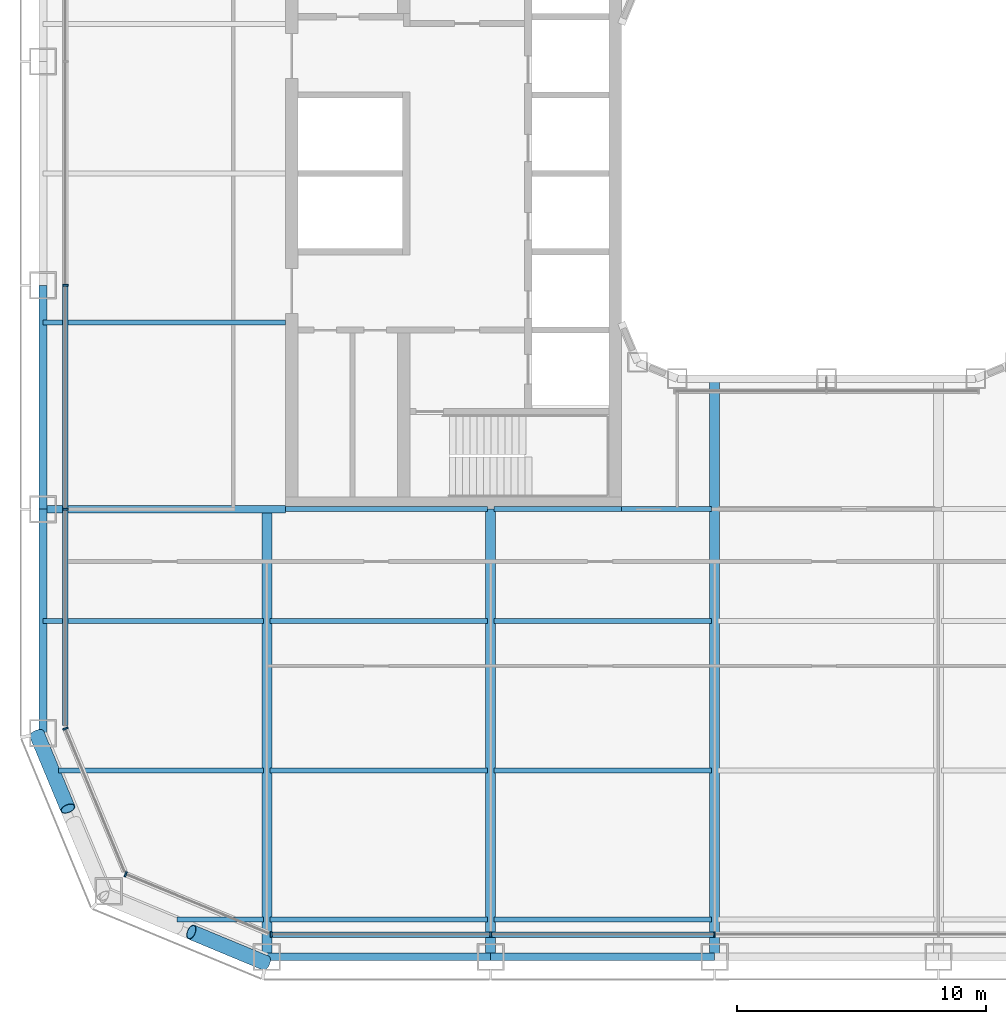
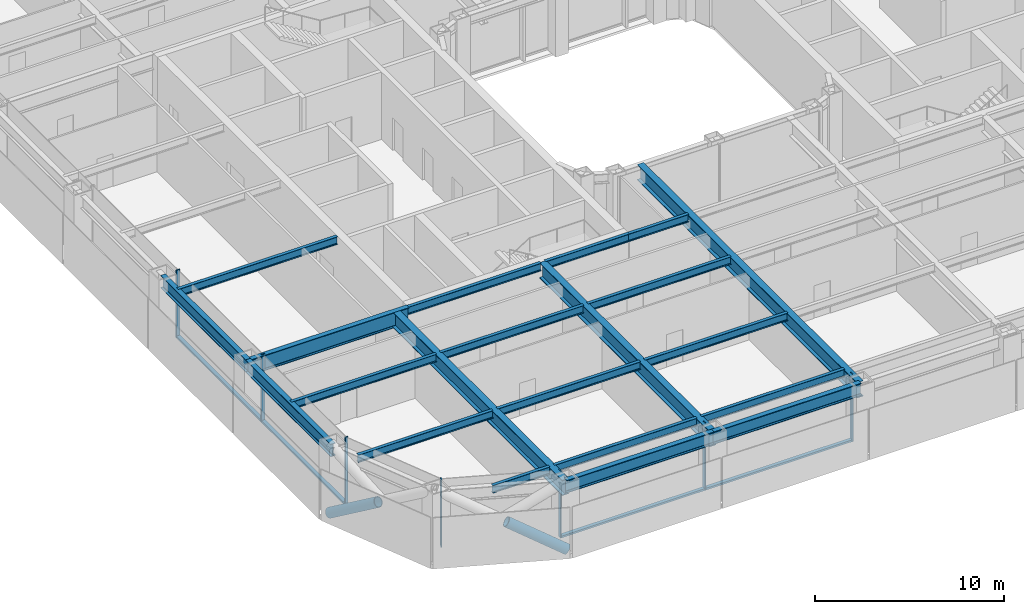
# One storey, part 2 of 24: 21 beams, 13 members, 4 elements without a shape of their own.
"""IFC4 building model written with IfcOpenShell, lengths in metres."""

import ifcopenshell
import ifcopenshell.guid

model = None  # the IFC model being written
_history = None  # IfcOwnerHistory: only IFC2X3 demands one
_inside = {}  # id of a spatial element -> (the spatial element, [elements in it])
_under = {}  # id of a project, library or spatial element -> (it, [spatial elements below it])
_declared = {}  # id of a project -> (the project, [libraries it declares])
_typed = {}  # id of a type object -> (the type object, [elements of that type])
_made_of = {}  # id of a material, layer set ... -> (it, [elements and type objects made of it])


def new_model(schema):
    """Start an empty IFC model of exactly this schema.

    Asked for "IFC4X3", IfcOpenShell would pick the latest addendum, in which some entities
    have other attributes; the version numbers below select the first issue.
    IFC2X3 requires an IfcOwnerHistory on every rooted entity: one is made here for all.
    """
    global model, _history
    if schema == "IFC4X3":
        model = ifcopenshell.file(schema_version=(4, 3, 0, 0))
    else:
        model = ifcopenshell.file(schema=schema)
    _inside.clear()
    _under.clear()
    _declared.clear()
    _typed.clear()
    _made_of.clear()
    _history = None
    if model.schema == "IFC2X3":
        org = make("IfcOrganization", Name="unknown")
        user = make(
            "IfcPersonAndOrganization",
            ThePerson=make("IfcPerson", FamilyName="unknown"),
            TheOrganization=org,
        )
        app = make(
            "IfcApplication",
            ApplicationDeveloper=org,
            Version="unknown",
            ApplicationFullName="unknown",
            ApplicationIdentifier="unknown",
        )
        _history = make(
            "IfcOwnerHistory",
            OwningUser=user,
            OwningApplication=app,
            ChangeAction="ADDED",
            CreationDate=0,
        )
    return model


def make(cls, **values):
    """One entity of the class cls with the attributes given. An attribute that is None is left unset."""
    return model.create_entity(
        cls, **{name: value for name, value in values.items() if value is not None}
    )


def rooted(cls, **values):
    """An entity with a GlobalId (a new one), such as an element, a storey or a relation."""
    return make(cls, GlobalId=ifcopenshell.guid.new(), OwnerHistory=_history, **values)


def si_unit(unit_type, name, prefix=None):
    """IfcSIUnit, for example si_unit("LENGTHUNIT", "METRE", prefix="MILLI")."""
    return make("IfcSIUnit", UnitType=unit_type, Prefix=prefix, Name=name)


def assignment(units):
    """IfcUnitAssignment: the units of a project."""
    return None if units is None else make("IfcUnitAssignment", Units=units)


def point(xyz):
    """IfcCartesianPoint."""
    return None if xyz is None else make("IfcCartesianPoint", Coordinates=xyz)


def direction(xyz):
    """IfcDirection."""
    return None if xyz is None else make("IfcDirection", DirectionRatios=xyz)


def frame(location, z_axis=None, x_axis=None):
    """IfcAxis2Placement3D, a coordinate frame: its origin and axes. An axis left out is left unset."""
    return make(
        "IfcAxis2Placement3D",
        Location=point(location),
        Axis=direction(z_axis),
        RefDirection=direction(x_axis),
    )


def frame_2d(location, x_axis=None):
    """IfcAxis2Placement2D, a coordinate frame in the plane: its origin and x axis."""
    return make(
        "IfcAxis2Placement2D", Location=point(location), RefDirection=direction(x_axis)
    )


def origin():
    """The frame at (0, 0, 0) with its axes left unset."""
    return frame((0.0, 0.0, 0.0))


def origin_2d():
    """The frame at (0, 0) in the plane with its x axis left unset."""
    return frame_2d((0.0, 0.0))


def place(relative_to, where):
    """IfcLocalPlacement: puts the frame where relative to a parent placement (None: the world)."""
    return make(
        "IfcLocalPlacement", PlacementRelTo=relative_to, RelativePlacement=where
    )


def context(
    kind, dimensions, precision=None, world=None, true_north=None, identifier=None
):
    """IfcGeometricRepresentationContext, for example the 3D "Model" context."""
    return make(
        "IfcGeometricRepresentationContext",
        ContextIdentifier=identifier,
        ContextType=kind,
        CoordinateSpaceDimension=dimensions,
        Precision=precision,
        WorldCoordinateSystem=world,
        TrueNorth=true_north,
    )


def subcontext(parent, identifier, kind, view, scale=None):
    """IfcGeometricRepresentationSubContext, for example "Body" below "Model"."""
    return make(
        "IfcGeometricRepresentationSubContext",
        ContextIdentifier=identifier,
        ContextType=kind,
        ParentContext=parent,
        TargetScale=scale,
        TargetView=view,
    )


def project(units=None, contexts=None):
    """IfcProject with its units and contexts."""
    return rooted(
        "IfcProject",
        Name="project",
        RepresentationContexts=contexts,
        UnitsInContext=assignment(units),
    )


def spatial(cls, under=None, at=None, **own):
    """A site, building, storey or space (cls), placed at a placement, below another one or the project."""
    s = rooted(cls, ObjectPlacement=at, **own)
    if under is not None:
        _under.setdefault(under.id(), (under, []))[1].append(s)
    return s


def profile(cls, at=None, kind="AREA", **sizes):
    """A parametric profile (cls). Its sizes go by their IFC names, for example OverallWidth=200.0."""
    return make(cls, ProfileType=kind, Position=at, **sizes)


def rectangle(**sizes):
    """IfcRectangleProfileDef."""
    return profile("IfcRectangleProfileDef", **sizes)


def hollow_circle(**sizes):
    """IfcCircleHollowProfileDef."""
    return profile("IfcCircleHollowProfileDef", **sizes)


def i_section(**sizes):
    """IfcIShapeProfileDef."""
    return profile("IfcIShapeProfileDef", **sizes)


def extrude(swept, where, along, depth):
    """IfcExtrudedAreaSolid: the profile swept, set in the frame where, extruded along a direction by depth."""
    return make(
        "IfcExtrudedAreaSolid",
        SweptArea=swept,
        Position=where,
        ExtrudedDirection=direction(along),
        Depth=depth,
    )


def shape(context_of_items, identifier, shape_type, items):
    """IfcShapeRepresentation: the items that make up one representation, for example the "Body"."""
    return make(
        "IfcShapeRepresentation",
        ContextOfItems=context_of_items,
        RepresentationIdentifier=identifier,
        RepresentationType=shape_type,
        Items=items,
    )


def material(Name=None, Category=None):
    """IfcMaterial."""
    return make("IfcMaterial", Name=Name, Category=Category)


def layer(
    of_material, thickness, ventilated=None, Name=None, Category=None, Priority=None
):
    """IfcMaterialLayer: one layer of a wall or slab, of a material (None: an air gap)."""
    return make(
        "IfcMaterialLayer",
        Material=of_material,
        LayerThickness=thickness,
        IsVentilated=ventilated,
        Name=Name,
        Category=Category,
        Priority=Priority,
    )


def layer_set(layers, Name=None):
    """IfcMaterialLayerSet."""
    return make("IfcMaterialLayerSet", MaterialLayers=layers, LayerSetName=Name)


def material_profile(
    of_material, cross_section, Name=None, Category=None, Priority=None
):
    """IfcMaterialProfile: a cross section and its material."""
    return make(
        "IfcMaterialProfile",
        Name=Name,
        Material=of_material,
        Profile=cross_section,
        Priority=Priority,
        Category=Category,
    )


def profile_set(profiles, Name=None, composite=None):
    """IfcMaterialProfileSet."""
    return make(
        "IfcMaterialProfileSet",
        Name=Name,
        MaterialProfiles=profiles,
        CompositeProfile=composite,
    )


def made_of(thing, what):
    """Note that an element or type object is made of a material, layer set ...; save() writes the relation."""
    if what is not None:
        _made_of.setdefault(what.id(), (what, []))[1].append(thing)
    return thing


def type_object(cls, material=None, **own):
    """A type object (cls), such as IfcWallType, which elements share."""
    return made_of(rooted(cls, **own), material)


def element(
    cls,
    number,
    at=None,
    inside=None,
    cuts=None,
    type_object=None,
    material=None,
    context=None,
    identifier="Body",
    shape_type=None,
    held_by="IfcProductDefinitionShape",
    body=None,
    shapes=None,
    **own,
):
    """One element of the class cls, such as IfcWall. Its Tag is "e" and its number.

    at: its placement. inside: the storey or other place that contains it. cuts: it is an
    opening in that element (IfcRelVoidsElement). A single representation is given by context,
    identifier, shape_type and body (its items); several are given by shapes. held_by: the class
    of the entity that holds the representations. save() writes the other relations.
    """
    e = rooted(cls, Tag="e%d" % number, ObjectPlacement=at, **own)
    if body is not None:
        shapes = [shape(context, identifier, shape_type, body)]
    if shapes is not None:
        e.Representation = make(held_by, Representations=shapes)
    if inside is not None:
        _inside.setdefault(inside.id(), (inside, []))[1].append(e)
    if cuts is not None:
        rooted(
            "IfcRelVoidsElement", RelatingBuildingElement=cuts, RelatedOpeningElement=e
        )
    if type_object is not None:
        _typed.setdefault(type_object.id(), (type_object, []))[1].append(e)
    return made_of(e, material)


def aggregate(whole, parts):
    """IfcRelAggregates: a whole, such as a stair, and the parts it consists of."""
    return rooted("IfcRelAggregates", RelatingObject=whole, RelatedObjects=parts)


def save(model, path):
    """Write the relations noted so far, then the file.

    IfcRelAggregates (storeys below a building ...), IfcRelContainedInSpatialStructure (elements
    in a storey), IfcRelDefinesByType, IfcRelAssociatesMaterial and IfcRelDeclares: one each for
    every whole, place, type object, material and project.
    """
    for whole, parts in _under.values():
        aggregate(whole, parts)
    for where, things in _inside.values():
        rooted(
            "IfcRelContainedInSpatialStructure",
            RelatedElements=things,
            RelatingStructure=where,
        )
    for kind, things in _typed.values():
        rooted("IfcRelDefinesByType", RelatedObjects=things, RelatingType=kind)
    for what, things in _made_of.values():
        rooted("IfcRelAssociatesMaterial", RelatedObjects=things, RelatingMaterial=what)
    for by, libraries in _declared.values():
        rooted("IfcRelDeclares", RelatingContext=by, RelatedDefinitions=libraries)
    model.write(path)


model = new_model("IFC4")

# Units and contexts
model_context = context("Model", 3, precision=1e-05, world=origin(), true_north=direction((0.0, 1.0)))
body_context = subcontext(model_context, "Body", "Model", "MODEL_VIEW")
ifc_project = project(units=[si_unit("LENGTHUNIT", "METRE"), si_unit("AREAUNIT", "SQUARE_METRE"), si_unit("VOLUMEUNIT", "CUBIC_METRE"), si_unit("PLANEANGLEUNIT", "RADIAN"), si_unit("MASSUNIT", "GRAM", prefix="KILO")], contexts=[model_context])

# Site, building, storey
site_placement = place(None, origin())
site = spatial("IfcSite", under=ifc_project, at=site_placement, CompositionType="ELEMENT")
building_placement = place(site_placement, origin())
building = spatial("IfcBuilding", under=site, at=building_placement, Name="Siwar Civic Tower", CompositionType="ELEMENT")
storey_placement = place(building_placement, frame((0.0, 0.0, 22.199951171875)))
storey = spatial("IfcBuildingStorey", under=building, at=storey_placement, Name="L04", CompositionType="ELEMENT", Elevation=22.199951171875)

# Curtain wall, members
ifc_material_1 = material(Name="Aluminium and glass", Category="aluminium")
ifc_layer_1 = layer(ifc_material_1, 0.219970703125)
ifc_layer_set_1 = layer_set([ifc_layer_1], Name="Aluminium and glass")
curtain_wall_type_1 = type_object("IfcCurtainWallType", Name="ENV-CW-A", PredefinedType="NOTDEFINED", material=ifc_layer_set_1)
curtain_wall_1_placement = place(storey_placement, origin())
curtain_wall_1 = element("IfcCurtainWall", 1, at=curtain_wall_1_placement, inside=storey, type_object=curtain_wall_type_1, Name="Curtain wall A S", PredefinedType="NOTDEFINED")
ifc_material_2 = material(Name="Aluminium 6063-T6", Category="aluminium")
ifc_material_profile_1 = material_profile(ifc_material_2, rectangle(XDim=0.219970703125, YDim=0.070068359375, at=origin_2d()), Name="AL 220x70")
ifc_profile_set_1 = profile_set([ifc_material_profile_1], Name="Aluminium 6063-T6")
member_type_1 = type_object("IfcMemberType", Name="ENV-MULLION-A", PredefinedType="MULLION", material=ifc_profile_set_1)
member_1_placement = place(storey_placement, frame((-22.321044921875, -30.60009765625, 0.0), z_axis=(0.0, 0.0, 1.0), x_axis=(0.0, 1.0, 0.0)))
member_1 = element("IfcMember", 2, at=member_1_placement, type_object=member_type_1, Name="Mullion A S 1", PredefinedType="MULLION", context=body_context, shape_type="SweptSolid", body=[
    extrude(rectangle(XDim=0.219970703125, YDim=0.070068359375, at=origin_2d()), origin(), (0.0, 0.0, 1.0), 4.35009765625),
])
member_2_placement = place(storey_placement, frame((-13.5, -30.60009765625, 0.0), z_axis=(0.0, 0.0, 1.0), x_axis=(0.0, 1.0, 0.0)))
member_2 = element("IfcMember", 3, at=member_2_placement, type_object=member_type_1, Name="Mullion A S 2", PredefinedType="MULLION", context=body_context, shape_type="SweptSolid", body=[
    extrude(rectangle(XDim=0.219970703125, YDim=0.070068359375, at=origin_2d()), origin(), (0.0, 0.0, 1.0), 4.35009765625),
])
member_3_placement = place(storey_placement, frame((-4.5, -30.60009765625, 0.0), z_axis=(0.0, 0.0, 1.0), x_axis=(0.0, 1.0, 0.0)))
member_3 = element("IfcMember", 4, at=member_3_placement, type_object=member_type_1, Name="Mullion A S 3", PredefinedType="MULLION", context=body_context, shape_type="SweptSolid", body=[
    extrude(rectangle(XDim=0.219970703125, YDim=0.070068359375, at=origin_2d()), origin(), (0.0, 0.0, 1.0), 4.35009765625),
])

curtain_wall_2_placement = place(storey_placement, origin())
curtain_wall_2 = element("IfcCurtainWall", 5, at=curtain_wall_2_placement, inside=storey, type_object=curtain_wall_type_1, Name="Curtain wall A W", PredefinedType="NOTDEFINED")
member_4_placement = place(storey_placement, frame((-30.60009765625, -4.5, 0.0), z_axis=(0.0, 0.0, 1.0), x_axis=(1.0, 0.0, 0.0)))
member_4 = element("IfcMember", 6, at=member_4_placement, type_object=member_type_1, Name="Mullion A W 4", PredefinedType="MULLION", context=body_context, shape_type="SweptSolid", body=[
    extrude(rectangle(XDim=0.219970703125, YDim=0.070068359375, at=origin_2d()), origin(), (0.0, 0.0, 1.0), 4.35009765625),
])
member_5_placement = place(storey_placement, frame((-30.60009765625, -13.5, 0.0), z_axis=(0.0, 0.0, 1.0), x_axis=(1.0, 0.0, 0.0)))
member_5 = element("IfcMember", 7, at=member_5_placement, type_object=member_type_1, Name="Mullion A W 5", PredefinedType="MULLION", context=body_context, shape_type="SweptSolid", body=[
    extrude(rectangle(XDim=0.219970703125, YDim=0.070068359375, at=origin_2d()), origin(), (0.0, 0.0, 1.0), 4.35009765625),
])

# Curtain wall, member
ifc_material_3 = material(Name="Aluminium clad insulated panel", Category="aluminium")
ifc_layer_2 = layer(ifc_material_3, 0.219970703125)
ifc_layer_set_2 = layer_set([ifc_layer_2], Name="Aluminium clad insulated panel")
curtain_wall_type_2 = type_object("IfcCurtainWallType", Name="ENV-CW-AX", PredefinedType="NOTDEFINED", material=ifc_layer_set_2)
curtain_wall_3_placement = place(storey_placement, origin())
curtain_wall_3 = element("IfcCurtainWall", 8, at=curtain_wall_3_placement, inside=storey, type_object=curtain_wall_type_2, Name="Curtain wall A SW1", PredefinedType="NOTDEFINED")
member_6_placement = place(storey_placement, frame((-30.60009765625, -22.321044921875, 0.0), z_axis=(0.0, 0.0, 1.0), x_axis=(0.923879532511, 0.382683432365, 0.0)))
member_6 = element("IfcMember", 9, at=member_6_placement, type_object=member_type_1, Name="Mullion A SW1 1", PredefinedType="MULLION", context=body_context, shape_type="SweptSolid", body=[
    extrude(rectangle(XDim=0.219970703125, YDim=0.070068359375, at=origin_2d()), origin(), (0.0, 0.0, 1.0), 4.35009765625),
])
aggregate(curtain_wall_3, [member_6])

curtain_wall_4_placement = place(storey_placement, origin())
curtain_wall_4 = element("IfcCurtainWall", 10, at=curtain_wall_4_placement, inside=storey, type_object=curtain_wall_type_2, Name="Curtain wall A SW2", PredefinedType="NOTDEFINED")
member_7_placement = place(storey_placement, frame((-28.175048828125, -28.175048828125, 0.0), z_axis=(0.0, 0.0, 1.0), x_axis=(0.382683432365, 0.923879532511, 0.0)))
member_7 = element("IfcMember", 11, at=member_7_placement, type_object=member_type_1, Name="Mullion A SW2 1", PredefinedType="MULLION", context=body_context, shape_type="SweptSolid", body=[
    extrude(rectangle(XDim=0.219970703125, YDim=0.070068359375, at=origin_2d()), origin(), (0.0, 0.0, 1.0), 4.35009765625),
])
aggregate(curtain_wall_4, [member_7])

# Member
ifc_material_4 = material(Name="Aluminium 6063-T6", Category="aluminium")
ifc_material_profile_2 = material_profile(ifc_material_4, rectangle(XDim=0.219970703125, YDim=0.1201171875, at=origin_2d()), Name="AL 220x120")
ifc_profile_set_2 = profile_set([ifc_material_profile_2], Name="Aluminium 6063-T6")
member_type_2 = type_object("IfcMemberType", Name="ENV-TRANSOM-A", PredefinedType="USERDEFINED", material=ifc_profile_set_2)
member_8_placement = place(storey_placement, frame((-22.285888671875, -30.60009765625, 0.06005859375), z_axis=(1.0, 0.0, 0.0), x_axis=(0.0, 1.0, 0.0)))
member_8 = element("IfcMember", 12, at=member_8_placement, type_object=member_type_2, Name="Transom A S 1", ObjectType="TRANSOM", PredefinedType="USERDEFINED", context=body_context, shape_type="SweptSolid", body=[
    extrude(rectangle(XDim=0.219970703125, YDim=0.1201171875, at=origin_2d()), origin(), (0.0, 0.0, 1.0), 8.7509765625),
])

member_9_placement = place(storey_placement, frame((-13.465087890625, -30.60009765625, 0.06005859375), z_axis=(1.0, 0.0, 0.0), x_axis=(0.0, 1.0, 0.0)))
member_9 = element("IfcMember", 13, at=member_9_placement, type_object=member_type_2, Name="Transom A S 2", ObjectType="TRANSOM", PredefinedType="USERDEFINED", context=body_context, shape_type="SweptSolid", body=[
    extrude(rectangle(XDim=0.219970703125, YDim=0.1201171875, at=origin_2d()), origin(), (0.0, 0.0, 1.0), 8.93017578125),
])

aggregate(curtain_wall_1, [member_1, member_2, member_3, member_8, member_9])

member_10_placement = place(storey_placement, frame((-30.60009765625, -4.534912109375, 0.06005859375), z_axis=(0.0, -1.0, 0.0), x_axis=(1.0, 0.0, 0.0)))
member_10 = element("IfcMember", 14, at=member_10_placement, type_object=member_type_2, Name="Transom A W 4", ObjectType="TRANSOM", PredefinedType="USERDEFINED", context=body_context, shape_type="SweptSolid", body=[
    extrude(rectangle(XDim=0.219970703125, YDim=0.1201171875, at=origin_2d()), origin(), (0.0, 0.0, 1.0), 8.93017578125),
])

member_11_placement = place(storey_placement, frame((-30.60009765625, -13.534912109375, 0.06005859375), z_axis=(0.0, -1.0, 0.0), x_axis=(1.0, 0.0, 0.0)))
member_11 = element("IfcMember", 15, at=member_11_placement, type_object=member_type_2, Name="Transom A W 5", ObjectType="TRANSOM", PredefinedType="USERDEFINED", context=body_context, shape_type="SweptSolid", body=[
    extrude(rectangle(XDim=0.219970703125, YDim=0.1201171875, at=origin_2d()), origin(), (0.0, 0.0, 1.0), 8.66357421875),
])

aggregate(curtain_wall_2, [member_4, member_5, member_10, member_11])

# Members
ifc_material_5 = material(Name="Steel S355", Category="steel")
ifc_material_profile_3 = material_profile(ifc_material_5, hollow_circle(Radius=0.304931640625, WallThickness=0.030029296875, at=origin_2d()), Name="CHS610x30")
ifc_profile_set_3 = profile_set([ifc_material_profile_3], Name="Steel S355")
member_type_3 = type_object("IfcMemberType", Name="STR-BR-CHS610x30", PredefinedType="BRACE", material=ifc_profile_set_3)
for number, where, z_axis, x_axis, name in (
    (16, (-22.548828125, -31.7451171875, 0.0), (-0.777533059308, 0.323882123145, 0.539020140617), (-0.384524353215, -0.923114847559, 0.0), "L04/brc/ASW1-3-0-2"),
    (17, (-31.7451171875, -22.548828125, 0.0), (0.323882123145, -0.777533059308, 0.539020140617), (0.923114847559, 0.384524353215, 0.0), "L04/brc/ASW1-3-0-4"),
):
    element("IfcMember", number, at=place(storey_placement, frame(where, z_axis=z_axis, x_axis=x_axis)), inside=storey, type_object=member_type_3, Name=name, PredefinedType="BRACE", context=body_context, shape_type="SweptSolid", body=[
        extrude(hollow_circle(Radius=0.304931640625, WallThickness=0.030029296875, at=origin_2d()), origin(), (0.0, 0.0, 1.0), 3.843505859375),
    ])

# Beams
ifc_material_6 = material(Name="Steel S355", Category="steel")
ifc_material_profile_4 = material_profile(ifc_material_6, i_section(OverallWidth=0.199951171875, OverallDepth=0.5, WebThickness=0.01025390625, FlangeThickness=0.01611328125, FilletRadius=0.02099609375, at=origin_2d()), Name="IPE500")
ifc_profile_set_4 = profile_set([ifc_material_profile_4], Name="Steel S355")
beam_type_1 = type_object("IfcBeamType", Name="STR-FB-IPE500", PredefinedType="JOIST", material=ifc_profile_set_4)
beam_1_placement = place(storey_placement, frame((-26.121337890625, -30.0, 4.10009765625), z_axis=(1.0, 0.0, 0.0), x_axis=(0.0, 1.0, 0.0)))
element("IfcBeam", 18, at=beam_1_placement, inside=storey, type_object=beam_type_1, Name="L04/bm/F001", PredefinedType="JOIST", context=body_context, shape_type="SweptSolid", body=[
    extrude(i_section(OverallWidth=0.199951171875, OverallDepth=0.5, WebThickness=0.01025390625, FlangeThickness=0.01611328125, FilletRadius=0.02099609375, at=origin_2d()), origin(), (0.0, 0.0, 1.0), 3.491455078125),
])
for number, where, z_axis, x_axis, name in (
    (19, (-22.3701171875, -30.0, 4.10009765625), (1.0, 0.0, 0.0), (0.0, 1.0, 0.0), "L04/bm/F002"),
    (20, (-13.3701171875, -30.0, 4.10009765625), (1.0, 0.0, 0.0), (0.0, 1.0, 0.0), "L04/bm/F003"),
):
    element("IfcBeam", number, at=place(storey_placement, frame(where, z_axis=z_axis, x_axis=x_axis)), inside=storey, type_object=beam_type_1, Name=name, PredefinedType="JOIST", context=body_context, shape_type="SweptSolid", body=[
        extrude(i_section(OverallWidth=0.199951171875, OverallDepth=0.5, WebThickness=0.01025390625, FlangeThickness=0.01611328125, FilletRadius=0.02099609375, at=origin_2d()), origin(), (0.0, 0.0, 1.0), 8.740234375),
    ])
beam_2_placement = place(storey_placement, frame((-30.878662109375, -24.0, 4.10009765625), z_axis=(1.0, 0.0, 0.0), x_axis=(0.0, 1.0, 0.0)))
element("IfcBeam", 21, at=beam_2_placement, inside=storey, type_object=beam_type_1, Name="L04/bm/F008", PredefinedType="JOIST", context=body_context, shape_type="SweptSolid", body=[
    extrude(i_section(OverallWidth=0.199951171875, OverallDepth=0.5, WebThickness=0.01025390625, FlangeThickness=0.01611328125, FilletRadius=0.02099609375, at=origin_2d()), origin(), (0.0, 0.0, 1.0), 8.248779296875),
])
for number, where, z_axis, x_axis, name in (
    (22, (-22.3701171875, -24.0, 4.10009765625), (1.0, 0.0, 0.0), (0.0, 1.0, 0.0), "L04/bm/F009"),
    (23, (-13.3701171875, -24.0, 4.10009765625), (1.0, 0.0, 0.0), (0.0, 1.0, 0.0), "L04/bm/F010"),
):
    element("IfcBeam", number, at=place(storey_placement, frame(where, z_axis=z_axis, x_axis=x_axis)), inside=storey, type_object=beam_type_1, Name=name, PredefinedType="JOIST", context=body_context, shape_type="SweptSolid", body=[
        extrude(i_section(OverallWidth=0.199951171875, OverallDepth=0.5, WebThickness=0.01025390625, FlangeThickness=0.01611328125, FilletRadius=0.02099609375, at=origin_2d()), origin(), (0.0, 0.0, 1.0), 8.740234375),
    ])
beam_3_placement = place(storey_placement, frame((-31.5, -18.0, 4.10009765625), z_axis=(1.0, 0.0, 0.0), x_axis=(0.0, 1.0, 0.0)))
element("IfcBeam", 24, at=beam_3_placement, inside=storey, type_object=beam_type_1, Name="L04/bm/F015", PredefinedType="JOIST", context=body_context, shape_type="SweptSolid", body=[
    extrude(i_section(OverallWidth=0.199951171875, OverallDepth=0.5, WebThickness=0.01025390625, FlangeThickness=0.01611328125, FilletRadius=0.02099609375, at=origin_2d()), origin(), (0.0, 0.0, 1.0), 8.8701171875),
])
for number, where, z_axis, x_axis, name in (
    (25, (-22.3701171875, -18.0, 4.10009765625), (1.0, 0.0, 0.0), (0.0, 1.0, 0.0), "L04/bm/F016"),
    (26, (-13.3701171875, -18.0, 4.10009765625), (1.0, 0.0, 0.0), (0.0, 1.0, 0.0), "L04/bm/F017"),
):
    element("IfcBeam", number, at=place(storey_placement, frame(where, z_axis=z_axis, x_axis=x_axis)), inside=storey, type_object=beam_type_1, Name=name, PredefinedType="JOIST", context=body_context, shape_type="SweptSolid", body=[
        extrude(i_section(OverallWidth=0.199951171875, OverallDepth=0.5, WebThickness=0.01025390625, FlangeThickness=0.01611328125, FilletRadius=0.02099609375, at=origin_2d()), origin(), (0.0, 0.0, 1.0), 8.740234375),
    ])
beam_4_placement = place(storey_placement, frame((-21.75, -13.5, 4.10009765625), z_axis=(1.0, 0.0, 0.0), x_axis=(0.0, 1.0, 0.0)))
element("IfcBeam", 27, at=beam_4_placement, inside=storey, type_object=beam_type_1, Name="L04/bm/F023", PredefinedType="JOIST", context=body_context, shape_type="SweptSolid", body=[
    extrude(i_section(OverallWidth=0.199951171875, OverallDepth=0.5, WebThickness=0.01025390625, FlangeThickness=0.01611328125, FilletRadius=0.02099609375, at=origin_2d()), origin(), (0.0, 0.0, 1.0), 8.1201171875),
])
beam_5_placement = place(storey_placement, frame((-13.3701171875, -13.5, 4.10009765625), z_axis=(1.0, 0.0, 0.0), x_axis=(0.0, 1.0, 0.0)))
element("IfcBeam", 28, at=beam_5_placement, inside=storey, type_object=beam_type_1, Name="L04/bm/F024", PredefinedType="JOIST", context=body_context, shape_type="SweptSolid", body=[
    extrude(i_section(OverallWidth=0.199951171875, OverallDepth=0.5, WebThickness=0.01025390625, FlangeThickness=0.01611328125, FilletRadius=0.02099609375, at=origin_2d()), origin(), (0.0, 0.0, 1.0), 5.1201171875),
])
beam_6_placement = place(storey_placement, frame((-8.25, -13.5, 4.10009765625), z_axis=(1.0, 0.0, 0.0), x_axis=(0.0, 1.0, 0.0)))
element("IfcBeam", 29, at=beam_6_placement, inside=storey, type_object=beam_type_1, Name="L04/bm/F025", PredefinedType="JOIST", context=body_context, shape_type="SweptSolid", body=[
    extrude(i_section(OverallWidth=0.199951171875, OverallDepth=0.5, WebThickness=0.01025390625, FlangeThickness=0.01611328125, FilletRadius=0.02099609375, at=origin_2d()), origin(), (0.0, 0.0, 1.0), 3.6201171875),
])
beam_7_placement = place(storey_placement, frame((-31.5, -6.0, 4.10009765625), z_axis=(1.0, 0.0, 0.0), x_axis=(0.0, 1.0, 0.0)))
element("IfcBeam", 30, at=beam_7_placement, inside=storey, type_object=beam_type_1, Name="L04/bm/F031", PredefinedType="JOIST", context=body_context, shape_type="SweptSolid", body=[
    extrude(i_section(OverallWidth=0.199951171875, OverallDepth=0.5, WebThickness=0.01025390625, FlangeThickness=0.01611328125, FilletRadius=0.02099609375, at=origin_2d()), origin(), (0.0, 0.0, 1.0), 9.75),
])
ifc_material_7 = material(Name="Steel S355", Category="steel")
ifc_material_profile_5 = material_profile(ifc_material_7, i_section(OverallWidth=0.300048828125, OverallDepth=1.0, WebThickness=0.01904296875, FlangeThickness=0.035888671875, FilletRadius=0.030029296875, at=origin_2d()), Name="HEB1000")
ifc_profile_set_5 = profile_set([ifc_material_profile_5], Name="Steel S355")
beam_type_2 = type_object("IfcBeamType", Name="STR-PG-HEB1000", PredefinedType="BEAM", material=ifc_profile_set_5)
beam_8_placement = place(storey_placement, frame((-31.5, -13.5, 3.85009765625), z_axis=(1.0, 0.0, 0.0), x_axis=(0.0, 1.0, 0.0)))
element("IfcBeam", 31, at=beam_8_placement, inside=storey, type_object=beam_type_2, Name="L04/bm/F022", PredefinedType="BEAM", context=body_context, shape_type="SweptSolid", body=[
    extrude(i_section(OverallWidth=0.300048828125, OverallDepth=1.0, WebThickness=0.01904296875, FlangeThickness=0.035888671875, FilletRadius=0.030029296875, at=origin_2d()), origin(), (0.0, 0.0, 1.0), 9.75),
])
ifc_material_8 = material(Name="Steel S355", Category="steel")
ifc_material_profile_6 = material_profile(ifc_material_8, i_section(OverallWidth=0.39990234375, OverallDepth=1.0, WebThickness=0.01611328125, FlangeThickness=0.0400390625, at=origin_2d()), Name="PG1000x400x16x40")
ifc_profile_set_6 = profile_set([ifc_material_profile_6], Name="Steel S355")
beam_type_3 = type_object("IfcBeamType", Name="STR-PG-PG1000x400x16x40", PredefinedType="BEAM", material=ifc_profile_set_6)
for number, where, z_axis, x_axis, name in (
    (32, (-22.5, -31.5, 3.85009765625), (0.0, 1.0, 0.0), (-1.0, 0.0, 0.0), "L04/bm/G01"),
    (33, (-13.5, -31.5, 3.85009765625), (0.0, 1.0, 0.0), (-1.0, 0.0, 0.0), "L04/bm/G03"),
):
    element("IfcBeam", number, at=place(storey_placement, frame(where, z_axis=z_axis, x_axis=x_axis)), inside=storey, type_object=beam_type_3, Name=name, PredefinedType="BEAM", context=body_context, shape_type="SweptSolid", body=[
        extrude(i_section(OverallWidth=0.39990234375, OverallDepth=1.0, WebThickness=0.01611328125, FlangeThickness=0.0400390625, at=origin_2d()), origin(), (0.0, 0.0, 1.0), 18.0),
    ])
beam_9_placement = place(storey_placement, frame((-4.5, -31.5, 3.85009765625), z_axis=(0.0, 1.0, 0.0), x_axis=(-1.0, 0.0, 0.0)))
element("IfcBeam", 34, at=beam_9_placement, inside=storey, type_object=beam_type_3, Name="L04/bm/G05", PredefinedType="BEAM", context=body_context, shape_type="SweptSolid", body=[
    extrude(i_section(OverallWidth=0.39990234375, OverallDepth=1.0, WebThickness=0.01611328125, FlangeThickness=0.0400390625, at=origin_2d()), origin(), (0.0, 0.0, 1.0), 23.25),
])
ifc_material_9 = material(Name="Steel S355", Category="steel")
ifc_material_profile_7 = material_profile(ifc_material_9, i_section(OverallWidth=0.302978515625, OverallDepth=0.81396484375, WebThickness=0.02099609375, FlangeThickness=0.0400390625, FilletRadius=0.030029296875, at=origin_2d()), Name="HEM800")
ifc_profile_set_7 = profile_set([ifc_material_profile_7], Name="Steel S355")
beam_type_4 = type_object("IfcBeamType", Name="STR-SB-HEM800", PredefinedType="BEAM", material=ifc_profile_set_7)
for number, where, z_axis, x_axis, name in (
    (35, (-22.5, -31.5, 3.943115234375), (1.0, 0.0, 0.0), (0.0, 1.0, 0.0), "L04/bm/SS-0"),
    (36, (-13.5, -31.5, 3.943115234375), (1.0, 0.0, 0.0), (0.0, 1.0, 0.0), "L04/bm/SS-1"),
    (37, (-31.5, -4.5, 3.943115234375), (0.0, -1.0, 0.0), (1.0, 0.0, 0.0), "L04/bm/SW-3"),
    (38, (-31.5, -13.5, 3.943115234375), (0.0, -1.0, 0.0), (1.0, 0.0, 0.0), "L04/bm/SW-4"),
):
    element("IfcBeam", number, at=place(storey_placement, frame(where, z_axis=z_axis, x_axis=x_axis)), inside=storey, type_object=beam_type_4, Name=name, PredefinedType="BEAM", context=body_context, shape_type="SweptSolid", body=[
        extrude(i_section(OverallWidth=0.302978515625, OverallDepth=0.81396484375, WebThickness=0.02099609375, FlangeThickness=0.0400390625, FilletRadius=0.030029296875, at=origin_2d()), origin(), (0.0, 0.0, 1.0), 9.0),
    ])

save(model, "model.ifc")
